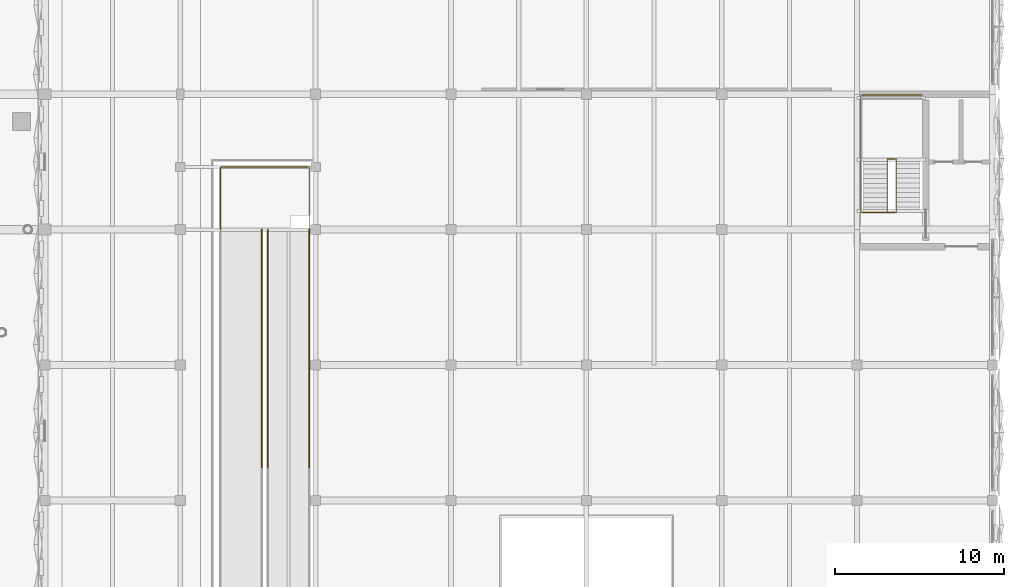
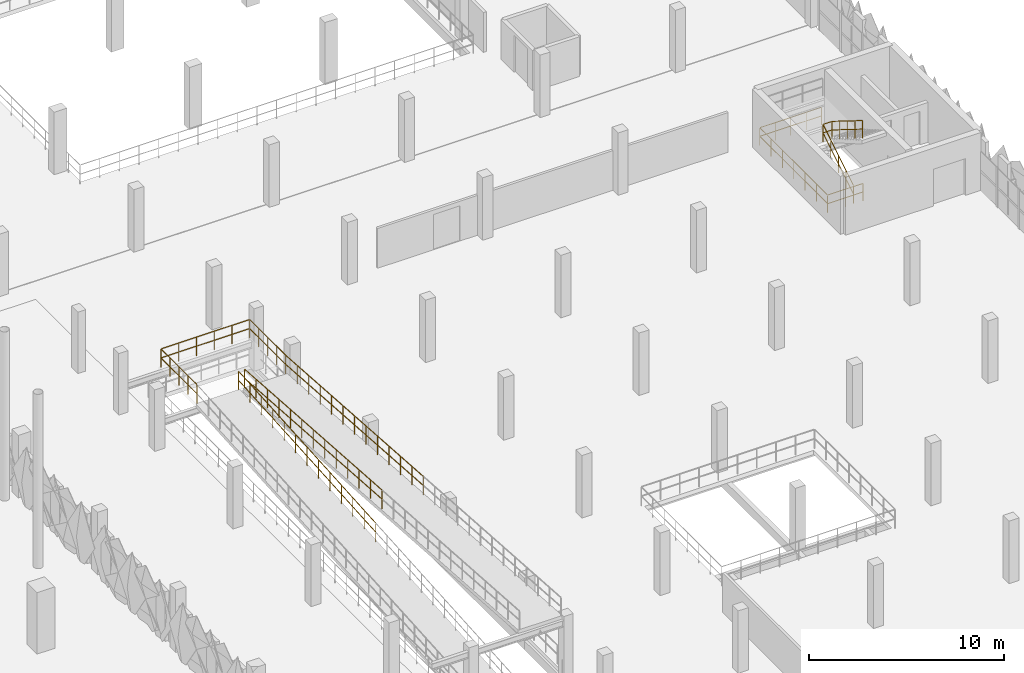
# One storey, part 118 of 123: 6 railings.
"""IFC4 building model written with IfcOpenShell, lengths in metres."""

import ifcopenshell
import ifcopenshell.guid

model = None  # the IFC model being written
_history = None  # IfcOwnerHistory: only IFC2X3 demands one
_inside = {}  # id of a spatial element -> (the spatial element, [elements in it])
_under = {}  # id of a project, library or spatial element -> (it, [spatial elements below it])
_declared = {}  # id of a project -> (the project, [libraries it declares])
_typed = {}  # id of a type object -> (the type object, [elements of that type])
_made_of = {}  # id of a material, layer set ... -> (it, [elements and type objects made of it])


def new_model(schema):
    """Start an empty IFC model of exactly this schema.

    Asked for "IFC4X3", IfcOpenShell would pick the latest addendum, in which some entities
    have other attributes; the version numbers below select the first issue.
    IFC2X3 requires an IfcOwnerHistory on every rooted entity: one is made here for all.
    """
    global model, _history
    if schema == "IFC4X3":
        model = ifcopenshell.file(schema_version=(4, 3, 0, 0))
    else:
        model = ifcopenshell.file(schema=schema)
    _inside.clear()
    _under.clear()
    _declared.clear()
    _typed.clear()
    _made_of.clear()
    _history = None
    if model.schema == "IFC2X3":
        org = make("IfcOrganization", Name="unknown")
        user = make(
            "IfcPersonAndOrganization",
            ThePerson=make("IfcPerson", FamilyName="unknown"),
            TheOrganization=org,
        )
        app = make(
            "IfcApplication",
            ApplicationDeveloper=org,
            Version="unknown",
            ApplicationFullName="unknown",
            ApplicationIdentifier="unknown",
        )
        _history = make(
            "IfcOwnerHistory",
            OwningUser=user,
            OwningApplication=app,
            ChangeAction="ADDED",
            CreationDate=0,
        )
    return model


def make(cls, **values):
    """One entity of the class cls with the attributes given. An attribute that is None is left unset."""
    return model.create_entity(
        cls, **{name: value for name, value in values.items() if value is not None}
    )


def rooted(cls, **values):
    """An entity with a GlobalId (a new one), such as an element, a storey or a relation."""
    return make(cls, GlobalId=ifcopenshell.guid.new(), OwnerHistory=_history, **values)


def si_unit(unit_type, name, prefix=None):
    """IfcSIUnit, for example si_unit("LENGTHUNIT", "METRE", prefix="MILLI")."""
    return make("IfcSIUnit", UnitType=unit_type, Prefix=prefix, Name=name)


def derived_unit(unit_type, elements):
    """IfcDerivedUnit: a product of units, each with its exponent."""
    return make(
        "IfcDerivedUnit",
        Elements=[
            make("IfcDerivedUnitElement", Unit=unit, Exponent=power)
            for unit, power in elements
        ],
        UnitType=unit_type,
    )


def assignment(units):
    """IfcUnitAssignment: the units of a project."""
    return None if units is None else make("IfcUnitAssignment", Units=units)


def point(xyz):
    """IfcCartesianPoint."""
    return None if xyz is None else make("IfcCartesianPoint", Coordinates=xyz)


def direction(xyz):
    """IfcDirection."""
    return None if xyz is None else make("IfcDirection", DirectionRatios=xyz)


def frame(location, z_axis=None, x_axis=None):
    """IfcAxis2Placement3D, a coordinate frame: its origin and axes. An axis left out is left unset."""
    return make(
        "IfcAxis2Placement3D",
        Location=point(location),
        Axis=direction(z_axis),
        RefDirection=direction(x_axis),
    )


def frame_2d(location, x_axis=None):
    """IfcAxis2Placement2D, a coordinate frame in the plane: its origin and x axis."""
    return make(
        "IfcAxis2Placement2D", Location=point(location), RefDirection=direction(x_axis)
    )


def origin():
    """The frame at (0, 0, 0) with its axes left unset."""
    return frame((0.0, 0.0, 0.0))


def origin_2d():
    """The frame at (0, 0) in the plane with its x axis left unset."""
    return frame_2d((0.0, 0.0))


def place(relative_to, where):
    """IfcLocalPlacement: puts the frame where relative to a parent placement (None: the world)."""
    return make(
        "IfcLocalPlacement", PlacementRelTo=relative_to, RelativePlacement=where
    )


def context(
    kind, dimensions, precision=None, world=None, true_north=None, identifier=None
):
    """IfcGeometricRepresentationContext, for example the 3D "Model" context."""
    return make(
        "IfcGeometricRepresentationContext",
        ContextIdentifier=identifier,
        ContextType=kind,
        CoordinateSpaceDimension=dimensions,
        Precision=precision,
        WorldCoordinateSystem=world,
        TrueNorth=true_north,
    )


def subcontext(parent, identifier, kind, view, scale=None):
    """IfcGeometricRepresentationSubContext, for example "Body" below "Model"."""
    return make(
        "IfcGeometricRepresentationSubContext",
        ContextIdentifier=identifier,
        ContextType=kind,
        ParentContext=parent,
        TargetScale=scale,
        TargetView=view,
    )


def project(units=None, contexts=None):
    """IfcProject with its units and contexts."""
    return rooted(
        "IfcProject",
        Name="project",
        RepresentationContexts=contexts,
        UnitsInContext=assignment(units),
    )


def spatial(cls, under=None, at=None, **own):
    """A site, building, storey or space (cls), placed at a placement, below another one or the project."""
    s = rooted(cls, ObjectPlacement=at, **own)
    if under is not None:
        _under.setdefault(under.id(), (under, []))[1].append(s)
    return s


def profile(cls, at=None, kind="AREA", **sizes):
    """A parametric profile (cls). Its sizes go by their IFC names, for example OverallWidth=200.0."""
    return make(cls, ProfileType=kind, Position=at, **sizes)


def circle(**sizes):
    """IfcCircleProfileDef."""
    return profile("IfcCircleProfileDef", **sizes)


def extrude(swept, where, along, depth):
    """IfcExtrudedAreaSolid: the profile swept, set in the frame where, extruded along a direction by depth."""
    return make(
        "IfcExtrudedAreaSolid",
        SweptArea=swept,
        Position=where,
        ExtrudedDirection=direction(along),
        Depth=depth,
    )


def shape(context_of_items, identifier, shape_type, items):
    """IfcShapeRepresentation: the items that make up one representation, for example the "Body"."""
    return make(
        "IfcShapeRepresentation",
        ContextOfItems=context_of_items,
        RepresentationIdentifier=identifier,
        RepresentationType=shape_type,
        Items=items,
    )


def material(Name=None, Category=None):
    """IfcMaterial."""
    return make("IfcMaterial", Name=Name, Category=Category)


def made_of(thing, what):
    """Note that an element or type object is made of a material, layer set ...; save() writes the relation."""
    if what is not None:
        _made_of.setdefault(what.id(), (what, []))[1].append(thing)
    return thing


def type_object(cls, material=None, **own):
    """A type object (cls), such as IfcWallType, which elements share."""
    return made_of(rooted(cls, **own), material)


def element(
    cls,
    number,
    at=None,
    inside=None,
    cuts=None,
    type_object=None,
    material=None,
    context=None,
    identifier="Body",
    shape_type=None,
    held_by="IfcProductDefinitionShape",
    body=None,
    shapes=None,
    **own,
):
    """One element of the class cls, such as IfcWall. Its Tag is "e" and its number.

    at: its placement. inside: the storey or other place that contains it. cuts: it is an
    opening in that element (IfcRelVoidsElement). A single representation is given by context,
    identifier, shape_type and body (its items); several are given by shapes. held_by: the class
    of the entity that holds the representations. save() writes the other relations.
    """
    e = rooted(cls, Tag="e%d" % number, ObjectPlacement=at, **own)
    if body is not None:
        shapes = [shape(context, identifier, shape_type, body)]
    if shapes is not None:
        e.Representation = make(held_by, Representations=shapes)
    if inside is not None:
        _inside.setdefault(inside.id(), (inside, []))[1].append(e)
    if cuts is not None:
        rooted(
            "IfcRelVoidsElement", RelatingBuildingElement=cuts, RelatedOpeningElement=e
        )
    if type_object is not None:
        _typed.setdefault(type_object.id(), (type_object, []))[1].append(e)
    return made_of(e, material)


def aggregate(whole, parts):
    """IfcRelAggregates: a whole, such as a stair, and the parts it consists of."""
    return rooted("IfcRelAggregates", RelatingObject=whole, RelatedObjects=parts)


def save(model, path):
    """Write the relations noted so far, then the file.

    IfcRelAggregates (storeys below a building ...), IfcRelContainedInSpatialStructure (elements
    in a storey), IfcRelDefinesByType, IfcRelAssociatesMaterial and IfcRelDeclares: one each for
    every whole, place, type object, material and project.
    """
    for whole, parts in _under.values():
        aggregate(whole, parts)
    for where, things in _inside.values():
        rooted(
            "IfcRelContainedInSpatialStructure",
            RelatedElements=things,
            RelatingStructure=where,
        )
    for kind, things in _typed.values():
        rooted("IfcRelDefinesByType", RelatedObjects=things, RelatingType=kind)
    for what, things in _made_of.values():
        rooted("IfcRelAssociatesMaterial", RelatedObjects=things, RelatingMaterial=what)
    for by, libraries in _declared.values():
        rooted("IfcRelDeclares", RelatingContext=by, RelatedDefinitions=libraries)
    model.write(path)


model = new_model("IFC4")

# Units and contexts
model_context = context("Model", 3, precision=1e-05, world=origin(), true_north=direction((0.0, 1.0)))
body_context = subcontext(model_context, "Body", "Model", "MODEL_VIEW")
ifc_project = project(units=[si_unit("LENGTHUNIT", "METRE"), si_unit("AREAUNIT", "SQUARE_METRE"), si_unit("VOLUMEUNIT", "CUBIC_METRE"), si_unit("PLANEANGLEUNIT", "RADIAN"), si_unit("MASSUNIT", "GRAM", prefix="KILO"), si_unit("THERMODYNAMICTEMPERATUREUNIT", "KELVIN"), derived_unit("THERMALTRANSMITTANCEUNIT", [(si_unit("POWERUNIT", "WATT"), 1), (si_unit("AREAUNIT", "SQUARE_METRE"), -1), (si_unit("THERMODYNAMICTEMPERATUREUNIT", "KELVIN"), -1)])], contexts=[model_context])

# Site, building, storey
site_placement = place(None, origin())
site = spatial("IfcSite", under=ifc_project, at=site_placement, CompositionType="ELEMENT")
building_placement = place(site_placement, origin())
building = spatial("IfcBuilding", under=site, at=building_placement, Name="Haiyu Intermodal Mobility Hub", CompositionType="ELEMENT")
storey_placement = place(building_placement, frame((0.0, 0.0, 5.60009765625)))
storey = spatial("IfcBuildingStorey", under=building, at=storey_placement, Name="L01", CompositionType="ELEMENT", Elevation=5.60009765625)

# Railings
ifc_material = material(Name="Steel Q355C", Category="steel")
railing_type = type_object("IfcRailingType", Name="RAL-GR03", PredefinedType="GUARDRAIL", material=ifc_material)
railing_1_placement = place(storey_placement, frame((166.820068359375, 49.949951171875, 0.974853515625)))
element("IfcRailing", 1, at=railing_1_placement, inside=storey, type_object=railing_type, Name="RAL-RMP-BIKE-L01-F1EB", PredefinedType="GUARDRAIL", context=body_context, shape_type="SweptSolid", body=[
    extrude(circle(Radius=0.02392578125, at=origin_2d()), frame((0.0, 0.030029296875, 1.157958984375), z_axis=(0.0, 0.997600365218, 0.069235188425), x_axis=(-1.0, 0.0, 0.0)), (0.0, 0.0, 1.0), 14.02392578125),
    extrude(circle(Radius=0.02392578125, at=origin_2d()), frame((0.0, 0.037109375, 0.592529296875), z_axis=(0.0, 0.997600365218, 0.069235188425), x_axis=(-1.0, 0.0, 0.0)), (0.0, 0.0, 1.0), 1.09912109375),
    extrude(circle(Radius=0.02392578125, at=origin_2d()), frame((0.0, 1.2080078125, 0.673828125), z_axis=(0.0, 0.997600365218, 0.069235188425), x_axis=(-1.0, 0.0, 0.0)), (0.0, 0.0, 1.0), 1.09912109375),
    extrude(circle(Radius=0.02392578125, at=origin_2d()), frame((0.0, 2.37890625, 0.755126953125), z_axis=(0.0, 0.997600365218, 0.069235188425), x_axis=(-1.0, 0.0, 0.0)), (0.0, 0.0, 1.0), 1.09912109375),
    extrude(circle(Radius=0.02392578125, at=origin_2d()), frame((0.0, 3.5498046875, 0.83642578125), z_axis=(0.0, 0.997600365218, 0.069235188425), x_axis=(-1.0, 0.0, 0.0)), (0.0, 0.0, 1.0), 1.09912109375),
    extrude(circle(Radius=0.02392578125, at=origin_2d()), frame((0.0, 4.720458984375, 0.91748046875), z_axis=(0.0, 0.997600365218, 0.069235188425), x_axis=(-1.0, 0.0, 0.0)), (0.0, 0.0, 1.0), 1.09912109375),
    extrude(circle(Radius=0.02392578125, at=origin_2d()), frame((0.0, 5.891357421875, 0.998779296875), z_axis=(0.0, 0.997600365218, 0.069235188425), x_axis=(-1.0, 0.0, 0.0)), (0.0, 0.0, 1.0), 1.09912109375),
    extrude(circle(Radius=0.02392578125, at=origin_2d()), frame((0.0, 7.062255859375, 1.080078125), z_axis=(0.0, 0.997600365218, 0.069235188425), x_axis=(-1.0, 0.0, 0.0)), (0.0, 0.0, 1.0), 1.09912109375),
    extrude(circle(Radius=0.02392578125, at=origin_2d()), frame((0.0, 8.233154296875, 1.161376953125), z_axis=(0.0, 0.997600365218, 0.069235188425), x_axis=(-1.0, 0.0, 0.0)), (0.0, 0.0, 1.0), 1.09912109375),
    extrude(circle(Radius=0.02392578125, at=origin_2d()), frame((0.0, 9.40380859375, 1.24267578125), z_axis=(0.0, 0.997600365218, 0.069235188425), x_axis=(-1.0, 0.0, 0.0)), (0.0, 0.0, 1.0), 1.09912109375),
    extrude(circle(Radius=0.02392578125, at=origin_2d()), frame((0.0, 10.57470703125, 1.323974609375), z_axis=(0.0, 0.997600365218, 0.069235188425), x_axis=(-1.0, 0.0, 0.0)), (0.0, 0.0, 1.0), 1.09912109375),
    extrude(circle(Radius=0.02392578125, at=origin_2d()), frame((0.0, 11.74560546875, 1.405029296875), z_axis=(0.0, 0.997600365218, 0.069235188425), x_axis=(-1.0, 0.0, 0.0)), (0.0, 0.0, 1.0), 1.09912109375),
    extrude(circle(Radius=0.02392578125, at=origin_2d()), frame((0.0, 12.91650390625, 1.486328125), z_axis=(0.0, 0.997600365218, 0.069235188425), x_axis=(-1.0, 0.0, 0.0)), (0.0, 0.0, 1.0), 1.09912109375),
    extrude(circle(Radius=0.02099609375, at=origin_2d()), origin(), (0.0, 0.0, 1.0), 1.123779296875),
    extrude(circle(Radius=0.02099609375, at=origin_2d()), frame((0.0, 1.1708984375, 0.081298828125)), (0.0, 0.0, 1.0), 1.123779296875),
    extrude(circle(Radius=0.02099609375, at=origin_2d()), frame((0.0, 2.341796875, 0.16259765625)), (0.0, 0.0, 1.0), 1.123779296875),
    extrude(circle(Radius=0.02099609375, at=origin_2d()), frame((0.0, 3.512451171875, 0.24365234375)), (0.0, 0.0, 1.0), 1.123779296875),
    extrude(circle(Radius=0.02099609375, at=origin_2d()), frame((0.0, 4.683349609375, 0.324951171875)), (0.0, 0.0, 1.0), 1.123779296875),
    extrude(circle(Radius=0.02099609375, at=origin_2d()), frame((0.0, 5.854248046875, 0.40625)), (0.0, 0.0, 1.0), 1.123779296875),
    extrude(circle(Radius=0.02099609375, at=origin_2d()), frame((0.0, 7.02490234375, 0.487548828125)), (0.0, 0.0, 1.0), 1.123779296875),
    extrude(circle(Radius=0.02099609375, at=origin_2d()), frame((0.0, 8.19580078125, 0.56884765625)), (0.0, 0.0, 1.0), 1.123779296875),
    extrude(circle(Radius=0.02099609375, at=origin_2d()), frame((0.0, 9.36669921875, 0.650146484375)), (0.0, 0.0, 1.0), 1.123779296875),
    extrude(circle(Radius=0.02099609375, at=origin_2d()), frame((0.0, 10.53759765625, 0.7314453125)), (0.0, 0.0, 1.0), 1.123779296875),
    extrude(circle(Radius=0.02099609375, at=origin_2d()), frame((0.0, 11.70849609375, 0.8125)), (0.0, 0.0, 1.0), 1.123779296875),
    extrude(circle(Radius=0.02099609375, at=origin_2d()), frame((0.0, 12.879150390625, 0.893798828125)), (0.0, 0.0, 1.0), 1.123779296875),
    extrude(circle(Radius=0.02099609375, at=origin_2d()), frame((0.0, 14.050048828125, 0.97509765625)), (0.0, 0.0, 1.0), 1.123779296875),
])
railing_2_placement = place(storey_placement, frame((167.179931640625, 64.0, 1.949951171875)))
element("IfcRailing", 2, at=railing_2_placement, inside=storey, type_object=railing_type, Name="RAL-RMP-BIKE-L01-F2WA", PredefinedType="GUARDRAIL", context=body_context, shape_type="SweptSolid", body=[
    extrude(circle(Radius=0.02392578125, at=origin_2d()), frame((0.0, -0.030029296875, 1.157958984375), z_axis=(0.0, -0.997610011439, 0.069096056888), x_axis=(1.0, 0.0, 0.0)), (0.0, 0.0, 1.0), 14.048583984375),
    extrude(circle(Radius=0.02392578125, at=origin_2d()), frame((0.0, -0.037109375, 0.592529296875), z_axis=(0.0, -0.997610011439, 0.069096056888), x_axis=(1.0, 0.0, 0.0)), (0.0, 0.0, 1.0), 1.10107421875),
    extrude(circle(Radius=0.02392578125, at=origin_2d()), frame((0.0, -1.210205078125, 0.673828125), z_axis=(0.0, -0.997610011439, 0.069096056888), x_axis=(1.0, 0.0, 0.0)), (0.0, 0.0, 1.0), 1.10107421875),
    extrude(circle(Radius=0.02392578125, at=origin_2d()), frame((0.0, -2.383056640625, 0.755126953125), z_axis=(0.0, -0.997610011439, 0.069096056888), x_axis=(1.0, 0.0, 0.0)), (0.0, 0.0, 1.0), 1.10107421875),
    extrude(circle(Radius=0.02392578125, at=origin_2d()), frame((0.0, -3.555908203125, 0.836181640625), z_axis=(0.0, -0.997610011439, 0.069096056888), x_axis=(1.0, 0.0, 0.0)), (0.0, 0.0, 1.0), 1.10107421875),
    extrude(circle(Radius=0.02392578125, at=origin_2d()), frame((0.0, -4.728759765625, 0.91748046875), z_axis=(0.0, -0.997610011439, 0.069096056888), x_axis=(1.0, 0.0, 0.0)), (0.0, 0.0, 1.0), 1.10107421875),
    extrude(circle(Radius=0.02392578125, at=origin_2d()), frame((0.0, -5.90185546875, 0.998779296875), z_axis=(0.0, -0.997610011439, 0.069096056888), x_axis=(1.0, 0.0, 0.0)), (0.0, 0.0, 1.0), 1.10107421875),
    extrude(circle(Radius=0.02392578125, at=origin_2d()), frame((0.0, -7.07470703125, 1.080078125), z_axis=(0.0, -0.997610011439, 0.069096056888), x_axis=(1.0, 0.0, 0.0)), (0.0, 0.0, 1.0), 1.10107421875),
    extrude(circle(Radius=0.02392578125, at=origin_2d()), frame((0.0, -8.24755859375, 1.1611328125), z_axis=(0.0, -0.997610011439, 0.069096056888), x_axis=(1.0, 0.0, 0.0)), (0.0, 0.0, 1.0), 1.10107421875),
    extrude(circle(Radius=0.02392578125, at=origin_2d()), frame((0.0, -9.42041015625, 1.242431640625), z_axis=(0.0, -0.997610011439, 0.069096056888), x_axis=(1.0, 0.0, 0.0)), (0.0, 0.0, 1.0), 1.10107421875),
    extrude(circle(Radius=0.02392578125, at=origin_2d()), frame((0.0, -10.593505859375, 1.32373046875), z_axis=(0.0, -0.997610011439, 0.069096056888), x_axis=(1.0, 0.0, 0.0)), (0.0, 0.0, 1.0), 1.10107421875),
    extrude(circle(Radius=0.02392578125, at=origin_2d()), frame((0.0, -11.766357421875, 1.405029296875), z_axis=(0.0, -0.997610011439, 0.069096056888), x_axis=(1.0, 0.0, 0.0)), (0.0, 0.0, 1.0), 1.10107421875),
    extrude(circle(Radius=0.02392578125, at=origin_2d()), frame((0.0, -12.939208984375, 1.486083984375), z_axis=(0.0, -0.997610011439, 0.069096056888), x_axis=(1.0, 0.0, 0.0)), (0.0, 0.0, 1.0), 1.10107421875),
    extrude(circle(Radius=0.02099609375, at=origin_2d()), origin(), (0.0, 0.0, 1.0), 1.123779296875),
    extrude(circle(Radius=0.02099609375, at=origin_2d()), frame((0.0, -1.1728515625, 0.081298828125)), (0.0, 0.0, 1.0), 1.123779296875),
    extrude(circle(Radius=0.02099609375, at=origin_2d()), frame((0.0, -2.345703125, 0.16259765625)), (0.0, 0.0, 1.0), 1.123779296875),
    extrude(circle(Radius=0.02099609375, at=origin_2d()), frame((0.0, -3.518798828125, 0.24365234375)), (0.0, 0.0, 1.0), 1.123779296875),
    extrude(circle(Radius=0.02099609375, at=origin_2d()), frame((0.0, -4.691650390625, 0.324951171875)), (0.0, 0.0, 1.0), 1.123779296875),
    extrude(circle(Radius=0.02099609375, at=origin_2d()), frame((0.0, -5.864501953125, 0.40625)), (0.0, 0.0, 1.0), 1.123779296875),
    extrude(circle(Radius=0.02099609375, at=origin_2d()), frame((0.0, -7.03759765625, 0.4873046875)), (0.0, 0.0, 1.0), 1.123779296875),
    extrude(circle(Radius=0.02099609375, at=origin_2d()), frame((0.0, -8.21044921875, 0.568603515625)), (0.0, 0.0, 1.0), 1.123779296875),
    extrude(circle(Radius=0.02099609375, at=origin_2d()), frame((0.0, -9.38330078125, 0.64990234375)), (0.0, 0.0, 1.0), 1.123779296875),
    extrude(circle(Radius=0.02099609375, at=origin_2d()), frame((0.0, -10.55615234375, 0.731201171875)), (0.0, 0.0, 1.0), 1.123779296875),
    extrude(circle(Radius=0.02099609375, at=origin_2d()), frame((0.0, -11.72900390625, 0.8125)), (0.0, 0.0, 1.0), 1.123779296875),
    extrude(circle(Radius=0.02099609375, at=origin_2d()), frame((0.0, -12.902099609375, 0.8935546875)), (0.0, 0.0, 1.0), 1.123779296875),
    extrude(circle(Radius=0.02099609375, at=origin_2d()), frame((0.0, -14.074951171875, 0.974853515625)), (0.0, 0.0, 1.0), 1.123779296875),
])
railing_3_placement = place(storey_placement, frame((169.6201171875, 64.0, 1.949951171875)))
element("IfcRailing", 3, at=railing_3_placement, inside=storey, type_object=railing_type, Name="RAL-RMP-BIKE-L01-F2EA", PredefinedType="GUARDRAIL", context=body_context, shape_type="SweptSolid", body=[
    extrude(circle(Radius=0.02392578125, at=origin_2d()), frame((0.0, -0.030029296875, 1.157958984375), z_axis=(0.0, -0.997610011439, 0.069096056888), x_axis=(1.0, 0.0, 0.0)), (0.0, 0.0, 1.0), 14.048583984375),
    extrude(circle(Radius=0.02392578125, at=origin_2d()), frame((0.0, -0.037109375, 0.592529296875), z_axis=(0.0, -0.997610011439, 0.069096056888), x_axis=(1.0, 0.0, 0.0)), (0.0, 0.0, 1.0), 1.10107421875),
    extrude(circle(Radius=0.02392578125, at=origin_2d()), frame((0.0, -1.210205078125, 0.673828125), z_axis=(0.0, -0.997610011439, 0.069096056888), x_axis=(1.0, 0.0, 0.0)), (0.0, 0.0, 1.0), 1.10107421875),
    extrude(circle(Radius=0.02392578125, at=origin_2d()), frame((0.0, -2.383056640625, 0.755126953125), z_axis=(0.0, -0.997610011439, 0.069096056888), x_axis=(1.0, 0.0, 0.0)), (0.0, 0.0, 1.0), 1.10107421875),
    extrude(circle(Radius=0.02392578125, at=origin_2d()), frame((0.0, -3.555908203125, 0.836181640625), z_axis=(0.0, -0.997610011439, 0.069096056888), x_axis=(1.0, 0.0, 0.0)), (0.0, 0.0, 1.0), 1.10107421875),
    extrude(circle(Radius=0.02392578125, at=origin_2d()), frame((0.0, -4.728759765625, 0.91748046875), z_axis=(0.0, -0.997610011439, 0.069096056888), x_axis=(1.0, 0.0, 0.0)), (0.0, 0.0, 1.0), 1.10107421875),
    extrude(circle(Radius=0.02392578125, at=origin_2d()), frame((0.0, -5.90185546875, 0.998779296875), z_axis=(0.0, -0.997610011439, 0.069096056888), x_axis=(1.0, 0.0, 0.0)), (0.0, 0.0, 1.0), 1.10107421875),
    extrude(circle(Radius=0.02392578125, at=origin_2d()), frame((0.0, -7.07470703125, 1.080078125), z_axis=(0.0, -0.997610011439, 0.069096056888), x_axis=(1.0, 0.0, 0.0)), (0.0, 0.0, 1.0), 1.10107421875),
    extrude(circle(Radius=0.02392578125, at=origin_2d()), frame((0.0, -8.24755859375, 1.1611328125), z_axis=(0.0, -0.997610011439, 0.069096056888), x_axis=(1.0, 0.0, 0.0)), (0.0, 0.0, 1.0), 1.10107421875),
    extrude(circle(Radius=0.02392578125, at=origin_2d()), frame((0.0, -9.42041015625, 1.242431640625), z_axis=(0.0, -0.997610011439, 0.069096056888), x_axis=(1.0, 0.0, 0.0)), (0.0, 0.0, 1.0), 1.10107421875),
    extrude(circle(Radius=0.02392578125, at=origin_2d()), frame((0.0, -10.593505859375, 1.32373046875), z_axis=(0.0, -0.997610011439, 0.069096056888), x_axis=(1.0, 0.0, 0.0)), (0.0, 0.0, 1.0), 1.10107421875),
    extrude(circle(Radius=0.02392578125, at=origin_2d()), frame((0.0, -11.766357421875, 1.405029296875), z_axis=(0.0, -0.997610011439, 0.069096056888), x_axis=(1.0, 0.0, 0.0)), (0.0, 0.0, 1.0), 1.10107421875),
    extrude(circle(Radius=0.02392578125, at=origin_2d()), frame((0.0, -12.939208984375, 1.486083984375), z_axis=(0.0, -0.997610011439, 0.069096056888), x_axis=(1.0, 0.0, 0.0)), (0.0, 0.0, 1.0), 1.10107421875),
    extrude(circle(Radius=0.02099609375, at=origin_2d()), origin(), (0.0, 0.0, 1.0), 1.123779296875),
    extrude(circle(Radius=0.02099609375, at=origin_2d()), frame((0.0, -1.1728515625, 0.081298828125)), (0.0, 0.0, 1.0), 1.123779296875),
    extrude(circle(Radius=0.02099609375, at=origin_2d()), frame((0.0, -2.345703125, 0.16259765625)), (0.0, 0.0, 1.0), 1.123779296875),
    extrude(circle(Radius=0.02099609375, at=origin_2d()), frame((0.0, -3.518798828125, 0.24365234375)), (0.0, 0.0, 1.0), 1.123779296875),
    extrude(circle(Radius=0.02099609375, at=origin_2d()), frame((0.0, -4.691650390625, 0.324951171875)), (0.0, 0.0, 1.0), 1.123779296875),
    extrude(circle(Radius=0.02099609375, at=origin_2d()), frame((0.0, -5.864501953125, 0.40625)), (0.0, 0.0, 1.0), 1.123779296875),
    extrude(circle(Radius=0.02099609375, at=origin_2d()), frame((0.0, -7.03759765625, 0.4873046875)), (0.0, 0.0, 1.0), 1.123779296875),
    extrude(circle(Radius=0.02099609375, at=origin_2d()), frame((0.0, -8.21044921875, 0.568603515625)), (0.0, 0.0, 1.0), 1.123779296875),
    extrude(circle(Radius=0.02099609375, at=origin_2d()), frame((0.0, -9.38330078125, 0.64990234375)), (0.0, 0.0, 1.0), 1.123779296875),
    extrude(circle(Radius=0.02099609375, at=origin_2d()), frame((0.0, -10.55615234375, 0.731201171875)), (0.0, 0.0, 1.0), 1.123779296875),
    extrude(circle(Radius=0.02099609375, at=origin_2d()), frame((0.0, -11.72900390625, 0.8125)), (0.0, 0.0, 1.0), 1.123779296875),
    extrude(circle(Radius=0.02099609375, at=origin_2d()), frame((0.0, -12.902099609375, 0.8935546875)), (0.0, 0.0, 1.0), 1.123779296875),
    extrude(circle(Radius=0.02099609375, at=origin_2d()), frame((0.0, -14.074951171875, 0.974853515625)), (0.0, 0.0, 1.0), 1.123779296875),
])
railing_4_placement = place(storey_placement, frame((164.3798828125, 64.0, 1.949951171875)))
element("IfcRailing", 4, at=railing_4_placement, inside=storey, type_object=railing_type, Name="RAL-RMP-BIKE-L01-LND", PredefinedType="GUARDRAIL", context=body_context, shape_type="SweptSolid", body=[
    extrude(circle(Radius=0.02392578125, at=origin_2d()), frame((0.0, 0.030029296875, 1.15576171875), z_axis=(0.0, 1.0, 0.0), x_axis=(-1.0, 0.0, 0.0)), (0.0, 0.0, 1.0), 3.639892578125),
    extrude(circle(Radius=0.02392578125, at=origin_2d()), frame((0.0, 0.037353515625, 0.58984375), z_axis=(0.0, 1.0, 0.0), x_axis=(-1.0, 0.0, 0.0)), (0.0, 0.0, 1.0), 0.850341796875),
    extrude(circle(Radius=0.02392578125, at=origin_2d()), frame((0.0, 0.96240234375, 0.58984375), z_axis=(0.0, 1.0, 0.0), x_axis=(-1.0, 0.0, 0.0)), (0.0, 0.0, 1.0), 0.850341796875),
    extrude(circle(Radius=0.02392578125, at=origin_2d()), frame((0.0, 1.88720703125, 0.58984375), z_axis=(0.0, 1.0, 0.0), x_axis=(-1.0, 0.0, 0.0)), (0.0, 0.0, 1.0), 0.850341796875),
    extrude(circle(Radius=0.02392578125, at=origin_2d()), frame((0.0, 2.812255859375, 0.58984375), z_axis=(0.0, 1.0, 0.0), x_axis=(-1.0, 0.0, 0.0)), (0.0, 0.0, 1.0), 0.850341796875),
    extrude(circle(Radius=0.02392578125, at=origin_2d()), frame((0.030029296875, 3.699951171875, 1.15576171875), z_axis=(1.0, 0.0, 0.0), x_axis=(0.0, 1.0, 0.0)), (0.0, 0.0, 1.0), 5.18017578125),
    extrude(circle(Radius=0.02392578125, at=origin_2d()), frame((0.037353515625, 3.699951171875, 0.58984375), z_axis=(1.0, 0.0, 0.0), x_axis=(0.0, 1.0, 0.0)), (0.0, 0.0, 1.0), 0.973388671875),
    extrude(circle(Radius=0.02392578125, at=origin_2d()), frame((1.08544921875, 3.699951171875, 0.58984375), z_axis=(1.0, 0.0, 0.0), x_axis=(0.0, 1.0, 0.0)), (0.0, 0.0, 1.0), 0.973388671875),
    extrude(circle(Radius=0.02392578125, at=origin_2d()), frame((2.13330078125, 3.699951171875, 0.58984375), z_axis=(1.0, 0.0, 0.0), x_axis=(0.0, 1.0, 0.0)), (0.0, 0.0, 1.0), 0.973388671875),
    extrude(circle(Radius=0.02392578125, at=origin_2d()), frame((3.181396484375, 3.699951171875, 0.58984375), z_axis=(1.0, 0.0, 0.0), x_axis=(0.0, 1.0, 0.0)), (0.0, 0.0, 1.0), 0.973388671875),
    extrude(circle(Radius=0.02392578125, at=origin_2d()), frame((4.2294921875, 3.699951171875, 0.58984375), z_axis=(1.0, 0.0, 0.0), x_axis=(0.0, 1.0, 0.0)), (0.0, 0.0, 1.0), 0.973388671875),
    extrude(circle(Radius=0.02392578125, at=origin_2d()), frame((5.240234375, 3.669921875, 1.15576171875), z_axis=(0.0, -1.0, 0.0), x_axis=(1.0, 0.0, 0.0)), (0.0, 0.0, 1.0), 3.639892578125),
    extrude(circle(Radius=0.02392578125, at=origin_2d()), frame((5.240234375, 3.66259765625, 0.58984375), z_axis=(0.0, -1.0, 0.0), x_axis=(1.0, 0.0, 0.0)), (0.0, 0.0, 1.0), 0.850341796875),
    extrude(circle(Radius=0.02392578125, at=origin_2d()), frame((5.240234375, 2.737548828125, 0.58984375), z_axis=(0.0, -1.0, 0.0), x_axis=(1.0, 0.0, 0.0)), (0.0, 0.0, 1.0), 0.850341796875),
    extrude(circle(Radius=0.02392578125, at=origin_2d()), frame((5.240234375, 1.812744140625, 0.58984375), z_axis=(0.0, -1.0, 0.0), x_axis=(1.0, 0.0, 0.0)), (0.0, 0.0, 1.0), 0.850341796875),
    extrude(circle(Radius=0.02392578125, at=origin_2d()), frame((5.240234375, 0.8876953125, 0.58984375), z_axis=(0.0, -1.0, 0.0), x_axis=(1.0, 0.0, 0.0)), (0.0, 0.0, 1.0), 0.850341796875),
    extrude(circle(Radius=0.02099609375, at=origin_2d()), origin(), (0.0, 0.0, 1.0), 1.123779296875),
    extrude(circle(Radius=0.02099609375, at=origin_2d()), frame((0.0, 0.925048828125, 0.0)), (0.0, 0.0, 1.0), 1.123779296875),
    extrude(circle(Radius=0.02099609375, at=origin_2d()), frame((0.0, 1.85009765625, 0.0)), (0.0, 0.0, 1.0), 1.123779296875),
    extrude(circle(Radius=0.02099609375, at=origin_2d()), frame((0.0, 2.77490234375, 0.0)), (0.0, 0.0, 1.0), 1.123779296875),
    extrude(circle(Radius=0.02099609375, at=origin_2d()), frame((0.0, 3.699951171875, 0.0)), (0.0, 0.0, 1.0), 1.123779296875),
    extrude(circle(Radius=0.02099609375, at=origin_2d()), frame((1.048095703125, 3.699951171875, 0.0)), (0.0, 0.0, 1.0), 1.123779296875),
    extrude(circle(Radius=0.02099609375, at=origin_2d()), frame((2.09619140625, 3.699951171875, 0.0)), (0.0, 0.0, 1.0), 1.123779296875),
    extrude(circle(Radius=0.02099609375, at=origin_2d()), frame((3.14404296875, 3.699951171875, 0.0)), (0.0, 0.0, 1.0), 1.123779296875),
    extrude(circle(Radius=0.02099609375, at=origin_2d()), frame((4.192138671875, 3.699951171875, 0.0)), (0.0, 0.0, 1.0), 1.123779296875),
    extrude(circle(Radius=0.02099609375, at=origin_2d()), frame((5.240234375, 3.699951171875, 0.0)), (0.0, 0.0, 1.0), 1.123779296875),
    extrude(circle(Radius=0.02099609375, at=origin_2d()), frame((5.240234375, 2.77490234375, 0.0)), (0.0, 0.0, 1.0), 1.123779296875),
    extrude(circle(Radius=0.02099609375, at=origin_2d()), frame((5.240234375, 1.85009765625, 0.0)), (0.0, 0.0, 1.0), 1.123779296875),
    extrude(circle(Radius=0.02099609375, at=origin_2d()), frame((5.240234375, 0.925048828125, 0.0)), (0.0, 0.0, 1.0), 1.123779296875),
    extrude(circle(Radius=0.02099609375, at=origin_2d()), frame((5.240234375, 0.0, 0.0)), (0.0, 0.0, 1.0), 1.123779296875),
])
railing_5_placement = place(storey_placement, frame((204.31005859375, 65.010009765625, 0.0)))
element("IfcRailing", 5, at=railing_5_placement, inside=storey, type_object=railing_type, Name="Stair Shaft Floor Guard STR-C9-L00", PredefinedType="GUARDRAIL", context=body_context, shape_type="SweptSolid", body=[
    extrude(circle(Radius=0.02392578125, at=origin_2d()), frame((-0.030029296875, 0.0, 1.09619140625), z_axis=(-1.0, 0.0, 0.0), x_axis=(0.0, -1.0, 0.0)), (0.0, 0.0, 1.0), 2.030029296875),
    extrude(circle(Radius=0.02392578125, at=origin_2d()), frame((-0.037353515625, 0.0, 0.56005859375), z_axis=(-1.0, 0.0, 0.0), x_axis=(0.0, -1.0, 0.0)), (0.0, 0.0, 1.0), 0.970458984375),
    extrude(circle(Radius=0.02392578125, at=origin_2d()), frame((-1.082275390625, 0.0, 0.56005859375), z_axis=(-1.0, 0.0, 0.0), x_axis=(0.0, -1.0, 0.0)), (0.0, 0.0, 1.0), 0.970458984375),
    extrude(circle(Radius=0.02392578125, at=origin_2d()), frame((-2.090087890625, 0.030029296875, 1.09619140625), z_axis=(0.0, 1.0, 0.0), x_axis=(-1.0, 0.0, 0.0)), (0.0, 0.0, 1.0), 6.8798828125),
    extrude(circle(Radius=0.02392578125, at=origin_2d()), frame((-2.090087890625, 0.037353515625, 0.56005859375), z_axis=(0.0, 1.0, 0.0), x_axis=(-1.0, 0.0, 0.0)), (0.0, 0.0, 1.0), 1.08203125),
    extrude(circle(Radius=0.02392578125, at=origin_2d()), frame((-2.090087890625, 1.19384765625, 0.56005859375), z_axis=(0.0, 1.0, 0.0), x_axis=(-1.0, 0.0, 0.0)), (0.0, 0.0, 1.0), 1.08203125),
    extrude(circle(Radius=0.02392578125, at=origin_2d()), frame((-2.090087890625, 2.3505859375, 0.56005859375), z_axis=(0.0, 1.0, 0.0), x_axis=(-1.0, 0.0, 0.0)), (0.0, 0.0, 1.0), 1.08203125),
    extrude(circle(Radius=0.02392578125, at=origin_2d()), frame((-2.090087890625, 3.50732421875, 0.56005859375), z_axis=(0.0, 1.0, 0.0), x_axis=(-1.0, 0.0, 0.0)), (0.0, 0.0, 1.0), 1.08203125),
    extrude(circle(Radius=0.02392578125, at=origin_2d()), frame((-2.090087890625, 4.663818359375, 0.56005859375), z_axis=(0.0, 1.0, 0.0), x_axis=(-1.0, 0.0, 0.0)), (0.0, 0.0, 1.0), 1.08203125),
    extrude(circle(Radius=0.02392578125, at=origin_2d()), frame((-2.090087890625, 5.820556640625, 0.56005859375), z_axis=(0.0, 1.0, 0.0), x_axis=(-1.0, 0.0, 0.0)), (0.0, 0.0, 1.0), 1.08203125),
    extrude(circle(Radius=0.02392578125, at=origin_2d()), frame((-2.06005859375, 6.93994140625, 1.09619140625), z_axis=(1.0, 0.0, 0.0), x_axis=(0.0, 1.0, 0.0)), (0.0, 0.0, 1.0), 3.590087890625),
    extrude(circle(Radius=0.02392578125, at=origin_2d()), frame((-2.052734375, 6.93994140625, 0.56005859375), z_axis=(1.0, 0.0, 0.0), x_axis=(0.0, 1.0, 0.0)), (0.0, 0.0, 1.0), 0.837890625),
    extrude(circle(Radius=0.02392578125, at=origin_2d()), frame((-1.14013671875, 6.93994140625, 0.56005859375), z_axis=(1.0, 0.0, 0.0), x_axis=(0.0, 1.0, 0.0)), (0.0, 0.0, 1.0), 0.837890625),
    extrude(circle(Radius=0.02392578125, at=origin_2d()), frame((-0.227783203125, 6.93994140625, 0.56005859375), z_axis=(1.0, 0.0, 0.0), x_axis=(0.0, 1.0, 0.0)), (0.0, 0.0, 1.0), 0.837890625),
    extrude(circle(Radius=0.02392578125, at=origin_2d()), frame((0.684814453125, 6.93994140625, 0.56005859375), z_axis=(1.0, 0.0, 0.0), x_axis=(0.0, 1.0, 0.0)), (0.0, 0.0, 1.0), 0.837890625),
    extrude(circle(Radius=0.02099609375, at=origin_2d()), origin(), (0.0, 0.0, 1.0), 1.06396484375),
    extrude(circle(Radius=0.02099609375, at=origin_2d()), frame((-1.044921875, 0.0, 0.0)), (0.0, 0.0, 1.0), 1.06396484375),
    extrude(circle(Radius=0.02099609375, at=origin_2d()), frame((-2.090087890625, 0.0, 0.0)), (0.0, 0.0, 1.0), 1.06396484375),
    extrude(circle(Radius=0.02099609375, at=origin_2d()), frame((-2.090087890625, 1.15673828125, 0.0)), (0.0, 0.0, 1.0), 1.06396484375),
    extrude(circle(Radius=0.02099609375, at=origin_2d()), frame((-2.090087890625, 2.313232421875, 0.0)), (0.0, 0.0, 1.0), 1.06396484375),
    extrude(circle(Radius=0.02099609375, at=origin_2d()), frame((-2.090087890625, 3.469970703125, 0.0)), (0.0, 0.0, 1.0), 1.06396484375),
    extrude(circle(Radius=0.02099609375, at=origin_2d()), frame((-2.090087890625, 4.626708984375, 0.0)), (0.0, 0.0, 1.0), 1.06396484375),
    extrude(circle(Radius=0.02099609375, at=origin_2d()), frame((-2.090087890625, 5.783203125, 0.0)), (0.0, 0.0, 1.0), 1.06396484375),
    extrude(circle(Radius=0.02099609375, at=origin_2d()), frame((-2.090087890625, 6.93994140625, 0.0)), (0.0, 0.0, 1.0), 1.06396484375),
    extrude(circle(Radius=0.02099609375, at=origin_2d()), frame((-1.177490234375, 6.93994140625, 0.0)), (0.0, 0.0, 1.0), 1.06396484375),
    extrude(circle(Radius=0.02099609375, at=origin_2d()), frame((-0.26513671875, 6.93994140625, 0.0)), (0.0, 0.0, 1.0), 1.06396484375),
    extrude(circle(Radius=0.02099609375, at=origin_2d()), frame((0.6474609375, 6.93994140625, 0.0)), (0.0, 0.0, 1.0), 1.06396484375),
    extrude(circle(Radius=0.02099609375, at=origin_2d()), frame((1.56005859375, 6.93994140625, 0.0)), (0.0, 0.0, 1.0), 1.06396484375),
])
railing_6_placement = place(storey_placement, frame((203.780029296875, 65.050048828125, 0.0)))
element("IfcRailing", 6, at=railing_6_placement, inside=storey, type_object=railing_type, Name="Stair Well Guard STR-C9-L01", PredefinedType="GUARDRAIL", context=body_context, shape_type="SweptSolid", body=[
    extrude(circle(Radius=0.02392578125, at=origin_2d()), frame((0.0, 0.025390625, 1.11181640625), z_axis=(0.0, 0.848756196164, 0.528784378999), x_axis=(-1.0, 0.0, 0.0)), (0.0, 0.0, 1.0), 3.627685546875),
    extrude(circle(Radius=0.02392578125, at=origin_2d()), frame((0.0, 0.03173828125, 0.579833984375), z_axis=(0.0, 0.848756196164, 0.528784378999), x_axis=(-1.0, 0.0, 0.0)), (0.0, 0.0, 1.0), 0.847412109375),
    extrude(circle(Radius=0.02392578125, at=origin_2d()), frame((0.0, 0.814208984375, 1.0673828125), z_axis=(0.0, 0.848756196164, 0.528784378999), x_axis=(-1.0, 0.0, 0.0)), (0.0, 0.0, 1.0), 0.847412109375),
    extrude(circle(Radius=0.02392578125, at=origin_2d()), frame((0.0, 1.5966796875, 1.5546875), z_axis=(0.0, 0.848756196164, 0.528784378999), x_axis=(-1.0, 0.0, 0.0)), (0.0, 0.0, 1.0), 0.847412109375),
    extrude(circle(Radius=0.02392578125, at=origin_2d()), frame((0.0, 2.379150390625, 2.042236328125), z_axis=(0.0, 0.848756196164, 0.528784378999), x_axis=(-1.0, 0.0, 0.0)), (0.0, 0.0, 1.0), 0.847412109375),
    extrude(circle(Radius=0.02392578125, at=origin_2d()), frame((0.030029296875, 3.1298828125, 3.0458984375), z_axis=(1.0, 0.0, 0.0), x_axis=(0.0, 1.0, 0.0)), (0.0, 0.0, 1.0), 0.469970703125),
    extrude(circle(Radius=0.02392578125, at=origin_2d()), frame((0.037353515625, 3.1298828125, 2.510009765625), z_axis=(1.0, 0.0, 0.0), x_axis=(0.0, 1.0, 0.0)), (0.0, 0.0, 1.0), 0.455322265625),
    extrude(circle(Radius=0.02392578125, at=origin_2d()), frame((0.530029296875, 3.1044921875, 3.061767578125), z_axis=(0.0, -0.848756196164, 0.528784378999), x_axis=(1.0, 0.0, 0.0)), (0.0, 0.0, 1.0), 3.627685546875),
    extrude(circle(Radius=0.02392578125, at=origin_2d()), frame((0.530029296875, 3.09814453125, 2.52978515625), z_axis=(0.0, -0.848756196164, 0.528784378999), x_axis=(1.0, 0.0, 0.0)), (0.0, 0.0, 1.0), 0.847412109375),
    extrude(circle(Radius=0.02392578125, at=origin_2d()), frame((0.530029296875, 2.315673828125, 3.017333984375), z_axis=(0.0, -0.848756196164, 0.528784378999), x_axis=(1.0, 0.0, 0.0)), (0.0, 0.0, 1.0), 0.847412109375),
    extrude(circle(Radius=0.02392578125, at=origin_2d()), frame((0.530029296875, 1.533203125, 3.504638671875), z_axis=(0.0, -0.848756196164, 0.528784378999), x_axis=(1.0, 0.0, 0.0)), (0.0, 0.0, 1.0), 0.847412109375),
    extrude(circle(Radius=0.02392578125, at=origin_2d()), frame((0.530029296875, 0.750732421875, 3.9921875), z_axis=(0.0, -0.848756196164, 0.528784378999), x_axis=(1.0, 0.0, 0.0)), (0.0, 0.0, 1.0), 0.847412109375),
    extrude(circle(Radius=0.02099609375, at=origin_2d()), origin(), (0.0, 0.0, 1.0), 1.06396484375),
    extrude(circle(Radius=0.02099609375, at=origin_2d()), frame((0.0, 0.782470703125, 0.487548828125)), (0.0, 0.0, 1.0), 1.06396484375),
    extrude(circle(Radius=0.02099609375, at=origin_2d()), frame((0.0, 1.56494140625, 0.97509765625)), (0.0, 0.0, 1.0), 1.06396484375),
    extrude(circle(Radius=0.02099609375, at=origin_2d()), frame((0.0, 2.347412109375, 1.46240234375)), (0.0, 0.0, 1.0), 1.06396484375),
    extrude(circle(Radius=0.02099609375, at=origin_2d()), frame((0.0, 3.1298828125, 1.949951171875)), (0.0, 0.0, 1.0), 1.06396484375),
    extrude(circle(Radius=0.02099609375, at=origin_2d()), frame((0.530029296875, 3.1298828125, 1.949951171875)), (0.0, 0.0, 1.0), 1.06396484375),
    extrude(circle(Radius=0.02099609375, at=origin_2d()), frame((0.530029296875, 2.347412109375, 2.4375)), (0.0, 0.0, 1.0), 1.06396484375),
    extrude(circle(Radius=0.02099609375, at=origin_2d()), frame((0.530029296875, 1.56494140625, 2.9248046875)), (0.0, 0.0, 1.0), 1.06396484375),
    extrude(circle(Radius=0.02099609375, at=origin_2d()), frame((0.530029296875, 0.782470703125, 3.412353515625)), (0.0, 0.0, 1.0), 1.06396484375),
    extrude(circle(Radius=0.02099609375, at=origin_2d()), frame((0.530029296875, 0.0, 3.89990234375)), (0.0, 0.0, 1.0), 1.06396484375),
])

save(model, "model.ifc")
